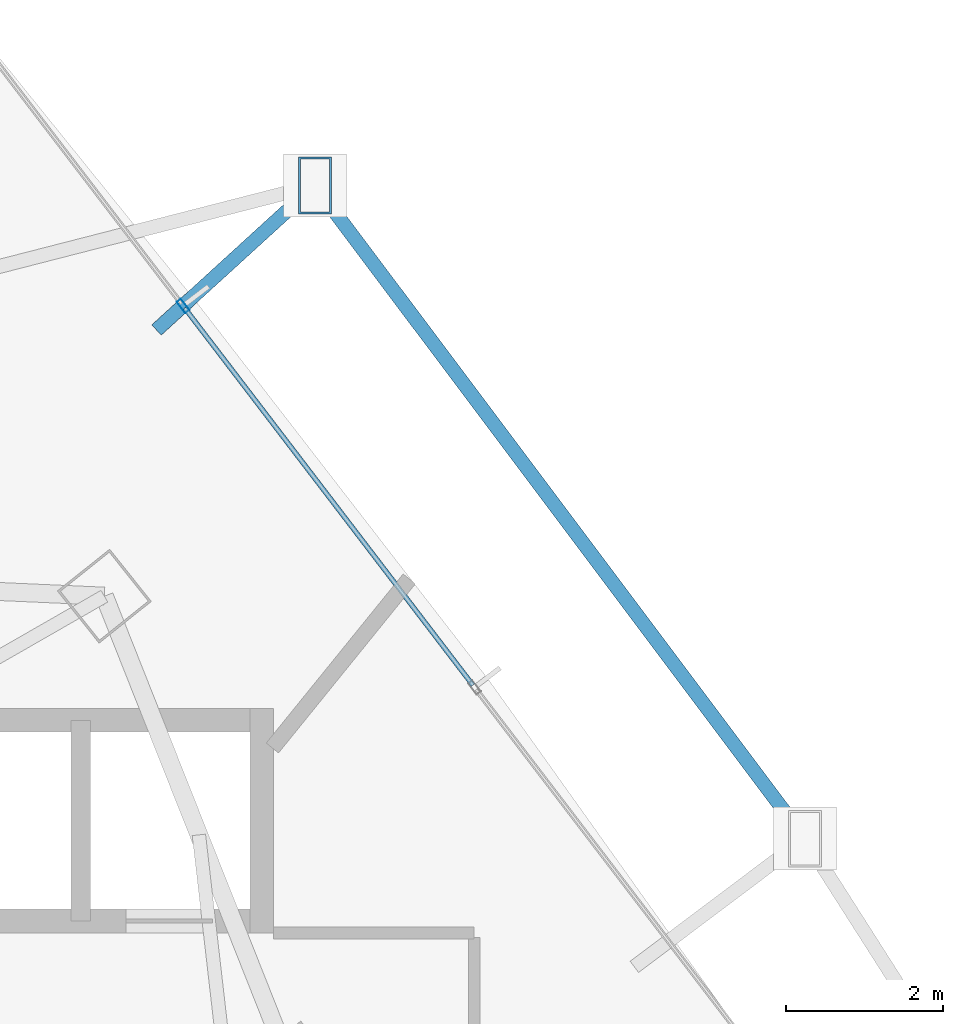
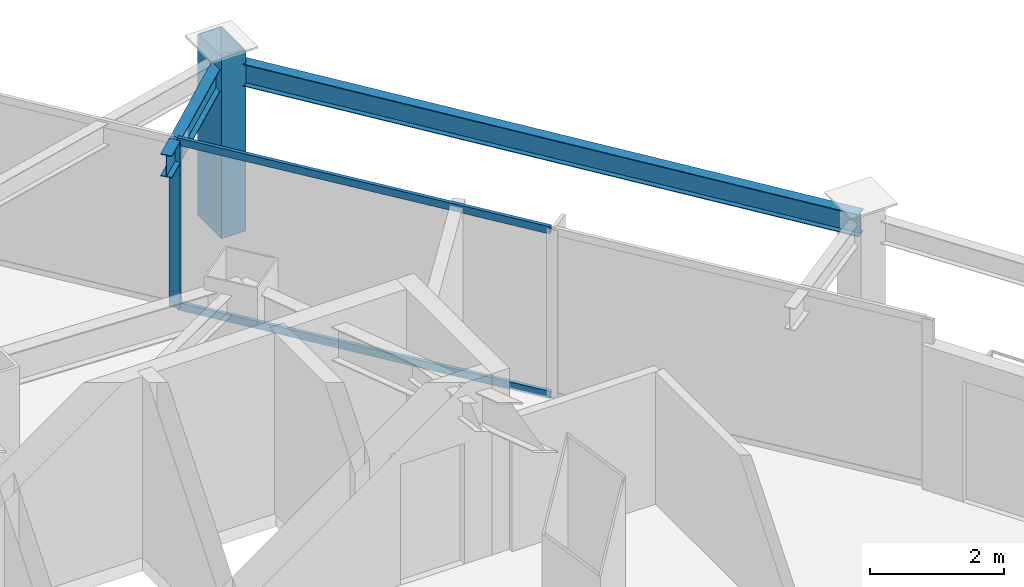
# One storey, part 27 of 33: 4 members, 2 beams, 1 element without a shape of its own.
"""IFC4 building model written with IfcOpenShell, lengths in metres."""

from ifc_helpers import new_model, si_unit, direction, frame, origin, origin_2d, place, context, subcontext, project, spatial, hollow_rectangle, i_section, extrude, material, layer, layer_set, material_profile, profile_set, type_object, element, aggregate, save


model = new_model("IFC4")

# Units and contexts
model_context = context("Model", 3, precision=1e-05, world=origin(), true_north=direction((0.0, 1.0)))
body_context = subcontext(model_context, "Body", "Model", "MODEL_VIEW")
ifc_project = project(units=[si_unit("LENGTHUNIT", "METRE"), si_unit("AREAUNIT", "SQUARE_METRE"), si_unit("VOLUMEUNIT", "CUBIC_METRE"), si_unit("PLANEANGLEUNIT", "RADIAN"), si_unit("MASSUNIT", "GRAM", prefix="KILO")], contexts=[model_context])

# Site, building, storey
site_placement = place(None, origin())
site = spatial("IfcSite", under=ifc_project, at=site_placement, CompositionType="ELEMENT")
building_placement = place(site_placement, origin())
building = spatial("IfcBuilding", under=site, at=building_placement, Name="Orvanel Arch Residences", CompositionType="ELEMENT")
storey_placement = place(building_placement, frame((0.0, 0.0, 87.35009765625)))
storey = spatial("IfcBuildingStorey", under=building, at=storey_placement, Name="L24", CompositionType="ELEMENT", Elevation=87.35009765625)

# Member
ifc_material_1 = material(Name="Structural steel AS/NZS 3678 Grade 350", Category="steel")
ifc_material_profile_1 = material_profile(ifc_material_1, hollow_rectangle(XDim=0.419921875, YDim=0.719970703125, WallThickness=0.02490234375, at=origin_2d()), Name="RHS720x420x25")
ifc_profile_set_1 = profile_set([ifc_material_profile_1], Name="Structural steel AS/NZS 3678 Grade 350")
member_type_1 = type_object("IfcMemberType", Name="CH-720RHS-EXT", PredefinedType="CHORD", material=ifc_profile_set_1)
member_1_placement = place(storey_placement, frame((40.625, 46.39697265625, 0.0), z_axis=(0.0, 0.0, 1.0), x_axis=(1.0, 0.0, 0.0)))
element("IfcMember", 1, at=member_1_placement, inside=storey, type_object=member_type_1, Name="L24 Outer Perimeter Frame Post 12", PredefinedType="CHORD", context=body_context, shape_type="SweptSolid", body=[
    extrude(hollow_rectangle(XDim=0.419921875, YDim=0.719970703125, WallThickness=0.02490234375, at=origin_2d()), origin(), (0.0, 0.0, 1.0), 3.2998046875),
])

# Curtain wall, member
ifc_material_2 = material(Name="Bronze-anodised aluminium AA6063-T6", Category="aluminium")
ifc_layer = layer(ifc_material_2, 0.179931640625)
ifc_layer_set = layer_set([ifc_layer], Name="Bronze-anodised aluminium AA6063-T6")
curtain_wall_type = type_object("IfcCurtainWallType", Name="CW2-LOW-SYS", PredefinedType="NOTDEFINED", material=ifc_layer_set)
curtain_wall_placement = place(storey_placement, origin())
curtain_wall = element("IfcCurtainWall", 2, at=curtain_wall_placement, inside=storey, type_object=curtain_wall_type, Name="L24 CW2-LOW-SYS Unitised Curtain Wall", PredefinedType="NOTDEFINED")
ifc_material_profile_2 = material_profile(ifc_material_2, hollow_rectangle(XDim=0.070068359375, YDim=0.179931640625, WallThickness=0.00439453125, at=origin_2d()), Name="ALU180x70x4.5")
ifc_profile_set_2 = profile_set([ifc_material_profile_2], Name="Bronze-anodised aluminium AA6063-T6")
member_type_2 = type_object("IfcMemberType", Name="MUL-180x70", PredefinedType="MULLION", material=ifc_profile_set_2)
member_2_placement = place(storey_placement, frame((38.949951171875, 44.866943359375, 0.0), z_axis=(0.0, 0.0, 1.0), x_axis=(-0.794618292381, -0.607109355399, 0.0)))
member_2 = element("IfcMember", 3, at=member_2_placement, type_object=member_type_2, Name="CW-S2 mullion 3", PredefinedType="MULLION", context=body_context, shape_type="SweptSolid", body=[
    extrude(hollow_rectangle(XDim=0.070068359375, YDim=0.179931640625, WallThickness=0.00439453125, at=origin_2d()), origin(), (0.0, 0.0, 1.0), 3.059814453125),
])

# Beams
ifc_material_3 = material(Name="Structural steel AS/NZS 3679.1 Grade 300 (300 MPa)", Category="steel")
ifc_material_profile_3 = material_profile(ifc_material_3, i_section(OverallWidth=0.177978515625, OverallDepth=0.406005859375, WebThickness=0.0078125, FlangeThickness=0.0126953125, at=origin_2d()), Name="410UB59.7")
ifc_profile_set_3 = profile_set([ifc_material_profile_3], Name="Structural steel AS/NZS 3679.1 Grade 300 (300 MPa)")
beam_type = type_object("IfcBeamType", Name="OB-410UB-EXT", PredefinedType="SPANDREL", material=ifc_profile_set_3)
beam_1_placement = place(storey_placement, frame((46.85205078125, 38.096923828125, 2.85693359375), z_axis=(-0.60012422455, 0.799906816515, 0.0), x_axis=(-0.799906816515, -0.60012422455, 0.0)))
element("IfcBeam", 4, at=beam_1_placement, inside=storey, type_object=beam_type, Name="L24 Outer Perimeter Floor Ring Beam 11", PredefinedType="SPANDREL", context=body_context, shape_type="SweptSolid", body=[
    extrude(i_section(OverallWidth=0.177978515625, OverallDepth=0.406005859375, WebThickness=0.0078125, FlangeThickness=0.0126953125, at=origin_2d()), origin(), (0.0, 0.0, 1.0), 10.376220703125),
])
beam_2_placement = place(storey_placement, frame((38.612060546875, 44.56005859375, 2.85693359375), z_axis=(0.738665847289, 0.67407178108, 0.0), x_axis=(-0.67407178108, 0.738665847289, 0.0)))
element("IfcBeam", 5, at=beam_2_placement, inside=storey, type_object=beam_type, Name="L24 Outer Frame Radial Tie Beam 12", PredefinedType="SPANDREL", context=body_context, shape_type="SweptSolid", body=[
    extrude(i_section(OverallWidth=0.177978515625, OverallDepth=0.406005859375, WebThickness=0.0078125, FlangeThickness=0.0126953125, at=origin_2d()), origin(), (0.0, 0.0, 1.0), 2.72509765625),
])

# Member
ifc_material_profile_4 = material_profile(ifc_material_2, hollow_rectangle(XDim=0.06005859375, YDim=0.135009765625, WallThickness=0.00390625, at=origin_2d()), Name="ALU135x60x4")
ifc_profile_set_4 = profile_set([ifc_material_profile_4], Name="Bronze-anodised aluminium AA6063-T6")
member_type_3 = type_object("IfcMemberType", Name="TRN-135x60", PredefinedType="USERDEFINED", material=ifc_profile_set_4)
member_3_placement = place(storey_placement, frame((42.6328125, 40.046875, 0.02978515625), z_axis=(-0.60713301748, 0.794600213369, 0.0), x_axis=(-0.794600213369, -0.60713301748, 0.0)))
member_3 = element("IfcMember", 6, at=member_3_placement, type_object=member_type_3, Name="CW-S2 transom 2.1", ObjectType="TRANSOM", PredefinedType="USERDEFINED", context=body_context, shape_type="SweptSolid", body=[
    extrude(hollow_rectangle(XDim=0.06005859375, YDim=0.135009765625, WallThickness=0.00390625, at=origin_2d()), origin(), (0.0, 0.0, 1.0), 6.031005859375),
])

member_4_placement = place(storey_placement, frame((42.6328125, 40.046875, 3.02978515625), z_axis=(-0.60713301748, 0.794600213369, 0.0), x_axis=(-0.794600213369, -0.60713301748, 0.0)))
member_4 = element("IfcMember", 7, at=member_4_placement, type_object=member_type_3, Name="CW-S2 transom 2.2", ObjectType="TRANSOM", PredefinedType="USERDEFINED", context=body_context, shape_type="SweptSolid", body=[
    extrude(hollow_rectangle(XDim=0.06005859375, YDim=0.135009765625, WallThickness=0.00390625, at=origin_2d()), origin(), (0.0, 0.0, 1.0), 6.031005859375),
])

aggregate(curtain_wall, [member_2, member_3, member_4])

save(model, "model.ifc")
